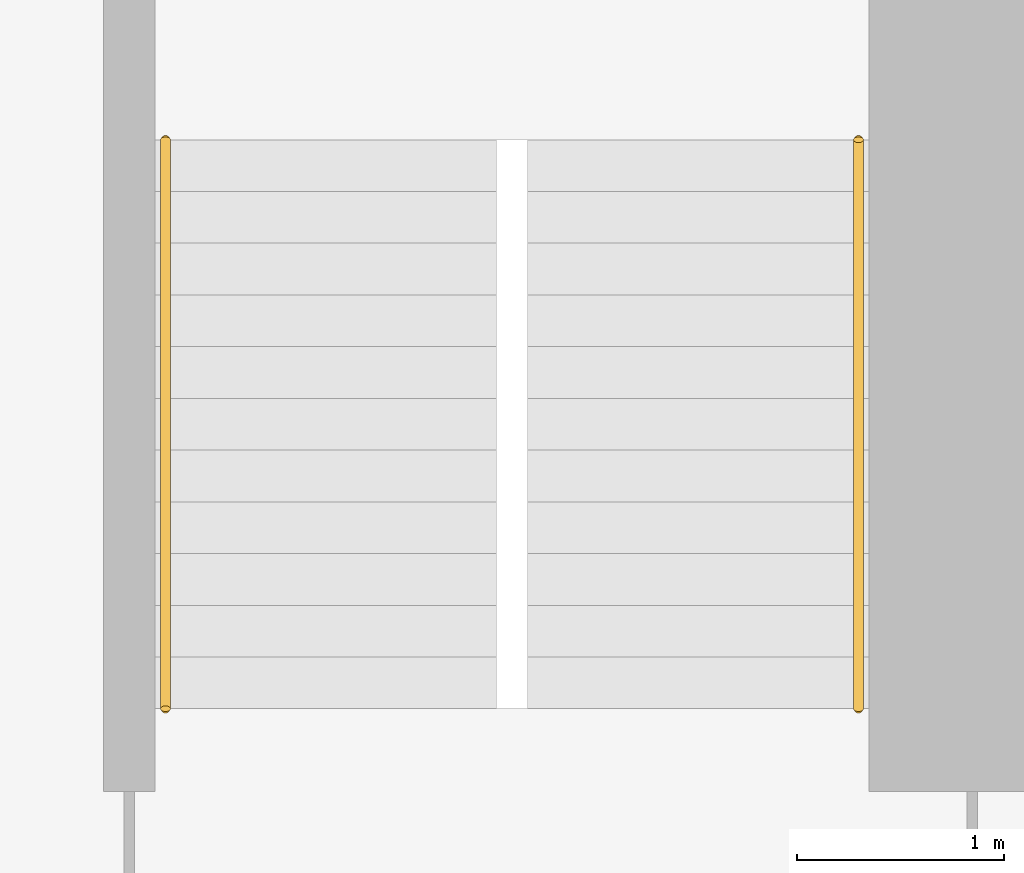
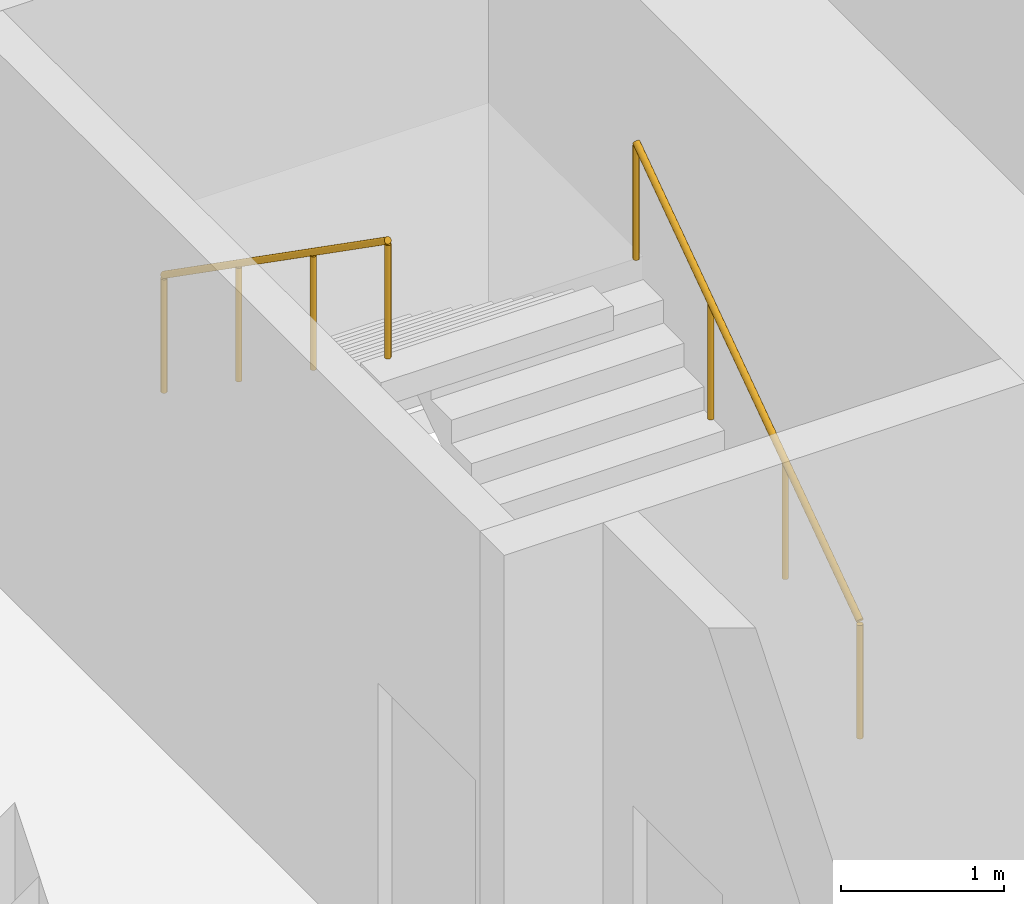
# One storey, part 10 of 10: 2 railings.
"""IFC4 building model written with IfcOpenShell, lengths in metres."""

from ifc_helpers import new_model, si_unit, direction, frame, origin, origin_2d, place, context, subcontext, project, spatial, circle, extrude, material, type_object, element, save


model = new_model("IFC4")

# Units and contexts
model_context = context("Model", 3, precision=1e-05, world=origin(), true_north=direction((0.0, 1.0)))
body_context = subcontext(model_context, "Body", "Model", "MODEL_VIEW")
ifc_project = project(units=[si_unit("LENGTHUNIT", "METRE"), si_unit("AREAUNIT", "SQUARE_METRE"), si_unit("VOLUMEUNIT", "CUBIC_METRE"), si_unit("PLANEANGLEUNIT", "RADIAN"), si_unit("MASSUNIT", "GRAM", prefix="KILO")], contexts=[model_context])

# Site, building, storey
site_placement = place(None, origin())
site = spatial("IfcSite", under=ifc_project, at=site_placement, CompositionType="ELEMENT")
building_placement = place(site_placement, origin())
building = spatial("IfcBuilding", under=site, at=building_placement, Name="Ogive Exchange Tower", CompositionType="ELEMENT")
storey_placement = place(building_placement, frame((0.0, 0.0, 64.800048828125)))
storey = spatial("IfcBuildingStorey", under=building, at=storey_placement, Name="L13", CompositionType="ELEMENT", Elevation=64.800048828125)

# Railings
ifc_material = material(Name="Stainless steel", Category="steel")
railing_type = type_object("IfcRailingType", Name="Stair handrail 900", PredefinedType="HANDRAIL", material=ifc_material)
railing_1_placement = place(storey_placement, frame((20.949951171875, 20.800048828125, 0.175048828125)))
element("IfcRailing", 1, at=railing_1_placement, inside=storey, type_object=railing_type, Name="L13 ST4 stair handrail 1", PredefinedType="HANDRAIL", context=body_context, shape_type="SweptSolid", body=[
    extrude(circle(Radius=0.02392578125, at=origin_2d()), frame((0.0, 0.0, 0.8759765625), z_axis=(0.0, 0.819259255306, 0.573423292687), x_axis=(-1.0, 0.0, 0.0)), (0.0, 0.0, 1.0), 3.356689453125),
    extrude(circle(Radius=0.02099609375, at=origin_2d()), origin(), (0.0, 0.0, 1.0), 0.851806640625),
    extrude(circle(Radius=0.02099609375, at=origin_2d()), frame((0.0, 0.916748046875, 0.6416015625)), (0.0, 0.0, 1.0), 0.851806640625),
    extrude(circle(Radius=0.02099609375, at=origin_2d()), frame((0.0, 1.833251953125, 1.283203125)), (0.0, 0.0, 1.0), 0.851806640625),
    extrude(circle(Radius=0.02099609375, at=origin_2d()), frame((0.0, 2.75, 1.9248046875)), (0.0, 0.0, 1.0), 0.851806640625),
])
railing_2_placement = place(storey_placement, frame((17.60009765625, 23.550048828125, 2.27490234375)))
element("IfcRailing", 2, at=railing_2_placement, inside=storey, type_object=railing_type, Name="L13 ST4 stair handrail 2", PredefinedType="HANDRAIL", context=body_context, shape_type="SweptSolid", body=[
    extrude(circle(Radius=0.02392578125, at=origin_2d()), frame((0.0, 0.0, 0.8759765625), z_axis=(0.0, -0.819225086817, 0.573472106672), x_axis=(1.0, 0.0, 0.0)), (0.0, 0.0, 1.0), 3.35693359375),
    extrude(circle(Radius=0.02099609375, at=origin_2d()), origin(), (0.0, 0.0, 1.0), 0.851806640625),
    extrude(circle(Radius=0.02099609375, at=origin_2d()), frame((0.0, -0.916748046875, 0.6416015625)), (0.0, 0.0, 1.0), 0.851806640625),
    extrude(circle(Radius=0.02099609375, at=origin_2d()), frame((0.0, -1.833251953125, 1.283447265625)), (0.0, 0.0, 1.0), 0.851806640625),
    extrude(circle(Radius=0.02099609375, at=origin_2d()), frame((0.0, -2.75, 1.925048828125)), (0.0, 0.0, 1.0), 0.851806640625),
])

save(model, "model.ifc")
